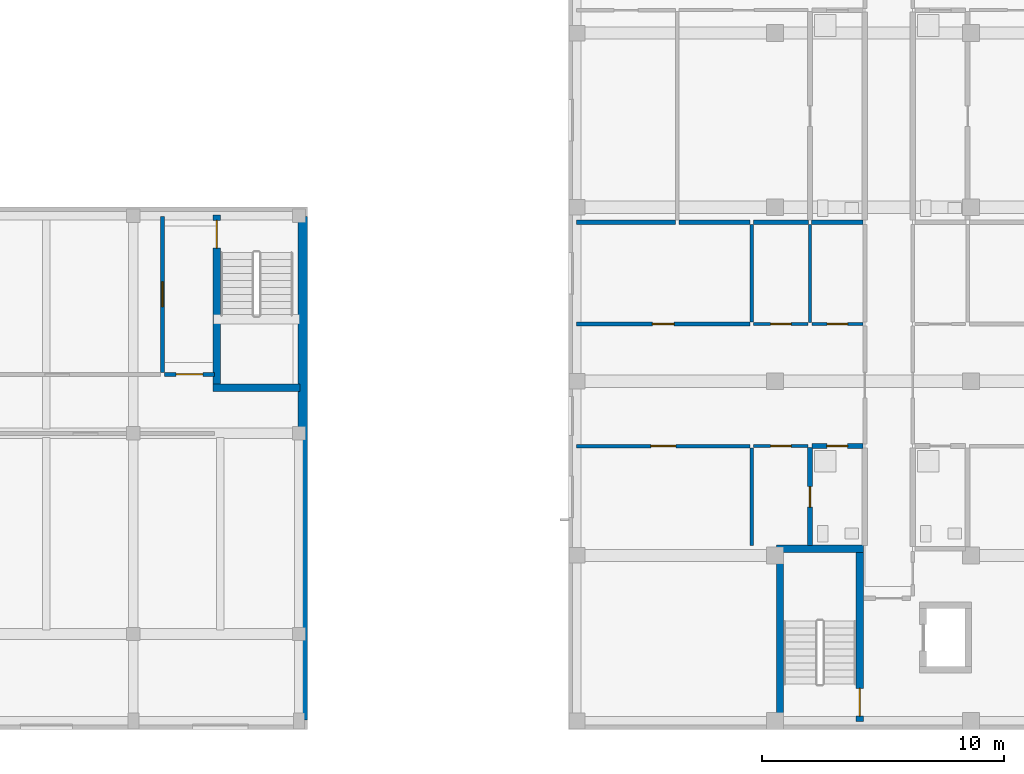
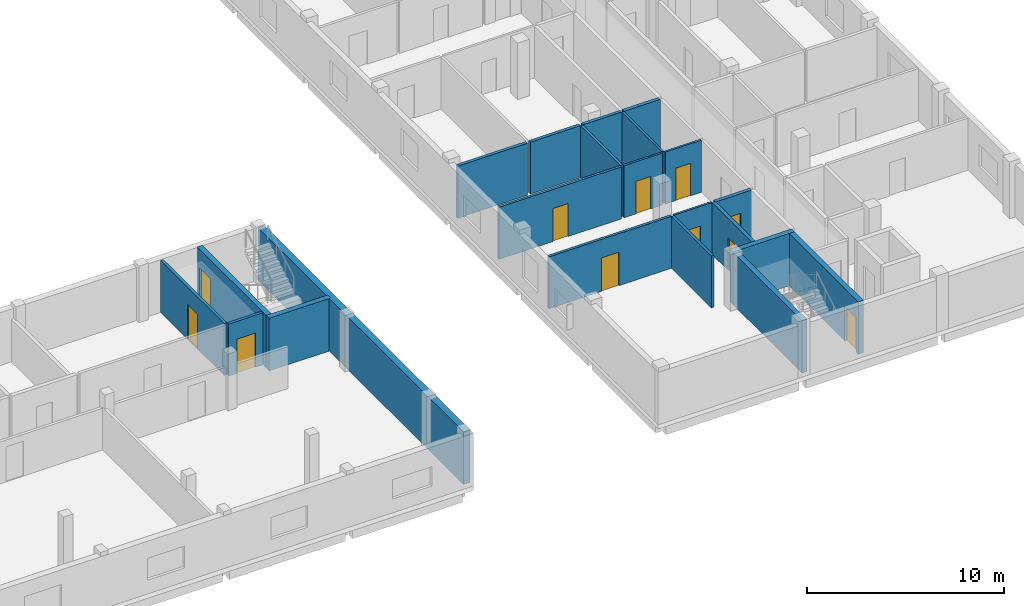
# One storey, part 45 of 73: 22 walls, 11 doors, 11 openings.
"""IFC4 building model written with IfcOpenShell, lengths in metres."""

from ifc_helpers import new_model, si_unit, derived_unit, direction, frame, frame_2d, origin, place, context, subcontext, project, spatial, rectangle, extrude, material, layer, layer_set, type_object, element, fill, save


model = new_model("IFC4")

# Units and contexts
model_context = context("Model", 3, precision=1e-05, world=origin(), true_north=direction((0.0, 1.0)))
body_context = subcontext(model_context, "Body", "Model", "MODEL_VIEW")
ifc_project = project(units=[si_unit("LENGTHUNIT", "METRE"), si_unit("AREAUNIT", "SQUARE_METRE"), si_unit("VOLUMEUNIT", "CUBIC_METRE"), si_unit("PLANEANGLEUNIT", "RADIAN"), si_unit("MASSUNIT", "GRAM", prefix="KILO"), derived_unit("THERMALTRANSMITTANCEUNIT", [(si_unit("MASSUNIT", "GRAM", prefix="KILO"), 1), (si_unit("TIMEUNIT", "SECOND"), -3), (si_unit("THERMODYNAMICTEMPERATUREUNIT", "KELVIN"), -1)])], contexts=[model_context])

# Site, building, storey
site_placement = place(None, origin())
site = spatial("IfcSite", under=ifc_project, at=site_placement, CompositionType="ELEMENT")
building_placement = place(site_placement, origin())
building = spatial("IfcBuilding", under=site, at=building_placement, Name="Ochrekiln Boulevard Commons", CompositionType="ELEMENT")
storey_placement = place(building_placement, frame((0.0, 0.0, 8.574951171875)))
storey = spatial("IfcBuildingStorey", under=building, at=storey_placement, Name="L02", CompositionType="ELEMENT", Elevation=8.574951171875)

# Wall
ifc_material_1 = material(Name="Desert ochre clinker brick masonry ASTM C216 Grade SW", Category="masonry")
ifc_layer_1 = layer(ifc_material_1, 0.3798828125)
ifc_layer_set_1 = layer_set([ifc_layer_1], Name="Desert ochre clinker brick masonry ASTM C216 Grade SW")
wall_type_1 = type_object("IfcWallType", Name="WL-EXT-ARC-380", PredefinedType="SOLIDWALL", material=ifc_layer_set_1)
wall_1_placement = place(storey_placement, frame((136.610107421875, 0.3798828125, 0.0), z_axis=(0.0, 0.0, 1.0), x_axis=(0.0, 1.0, 0.0)))
element("IfcWall", 1, at=wall_1_placement, inside=storey, type_object=wall_type_1, Name="East Boulevard Arcade L02 E Exterior Wall", PredefinedType="SOLIDWALL", context=body_context, shape_type="SweptSolid", body=[
    extrude(rectangle(XDim=20.840087890625, YDim=0.3798828125, at=frame_2d((10.419921875, 0.0))), origin(), (0.0, 0.0, 1.0), 3.260009765625),
])

# Wall, opening, door
ifc_material_2 = material(Name="Moisture-resistant cementitious tile backer wall")
ifc_layer_2 = layer(ifc_material_2, 0.199951171875)
ifc_layer_set_2 = layer_set([ifc_layer_2], Name="Moisture-resistant cementitious tile backer wall")
wall_type_2 = type_object("IfcWallType", Name="WL-PLM-200", PredefinedType="PLUMBINGWALL", material=ifc_layer_set_2)
wall_2_placement = place(storey_placement, frame((157.669921875, 11.718994140625, 0.0), z_axis=(0.0, 0.0, 1.0), x_axis=(1.0, 0.0, 0.0)))
wall_2 = element("IfcWall", 2, at=wall_2_placement, inside=storey, type_object=wall_type_2, Name="L02 Interior Wall W-PW200", PredefinedType="PLUMBINGWALL", context=body_context, shape_type="SweptSolid", body=[
    extrude(rectangle(XDim=2.108154296875, YDim=0.199951171875, at=frame_2d((1.05419921875, 0.0))), origin(), (0.0, 0.0, 1.0), 3.219970703125),
])
opening_1_placement = place(wall_2_placement, frame((0.6201171875, 0.0, 0.0)))
opening_1 = element("IfcOpeningElement", 3, at=opening_1_placement, cuts=wall_2, Name="Opening D-L02-372", PredefinedType="OPENING", context=body_context, shape_type="SweptSolid", body=[
    extrude(rectangle(XDim=0.860107421875, YDim=2.0, at=frame_2d((0.43017578125, 1.0))), frame((0.0, 0.10986328125, 0.0), z_axis=(0.0, -1.0, 0.0), x_axis=(1.0, 0.0, 0.0)), (0.0, 0.0, 1.0), 0.219970703125),
])
ifc_material_3 = material(Name="Solid core architectural oak door leaf")
door_type_1 = type_object("IfcDoorType", Name="DR-INT-BTH-086", OperationType="NOTDEFINED", PredefinedType="DOOR", material=ifc_material_3)
door_1_placement = place(opening_1_placement, frame((0.860107421875, 0.0, 0.0), z_axis=(0.0, 0.0, 1.0), x_axis=(-1.0, 0.0, 0.0)))
door_1 = element("IfcDoor", 4, at=door_1_placement, inside=storey, type_object=door_type_1, Name="L02 Interior Door to Accessible Apartment Bathroom", OperationType="SINGLE_SWING_RIGHT", OverallHeight=2.0, OverallWidth=0.860107421875, PredefinedType="DOOR", context=body_context, shape_type="SweptSolid", body=[
    extrude(rectangle(XDim=0.860107421875, YDim=2.0, at=frame_2d((0.43017578125, 1.0))), frame((0.0, 0.02490234375, 0.0), z_axis=(0.0, -1.0, 0.0), x_axis=(1.0, 0.0, 0.0)), (0.0, 0.0, 1.0), 0.050048828125),
])
fill(opening_1, door_1)

wall_3_placement = place(storey_placement, frame((157.590087890625, 7.60009765625, 0.0), z_axis=(0.0, 0.0, 1.0), x_axis=(0.0, 1.0, 0.0)))
wall_3 = element("IfcWall", 5, at=wall_3_placement, inside=storey, type_object=wall_type_2, Name="L02 Interior Wall W-PW200", PredefinedType="PLUMBINGWALL", context=body_context, shape_type="SweptSolid", body=[
    extrude(rectangle(XDim=4.058837890625, YDim=0.199951171875, at=frame_2d((2.029296875, 0.0))), origin(), (0.0, 0.0, 1.0), 3.219970703125),
])
opening_2_placement = place(wall_3_placement, frame((1.593994140625, 0.0, 0.0)))
opening_2 = element("IfcOpeningElement", 6, at=opening_2_placement, cuts=wall_3, Name="Opening D-L02-378", PredefinedType="OPENING", context=body_context, shape_type="SweptSolid", body=[
    extrude(rectangle(XDim=0.85009765625, YDim=2.010009765625, at=frame_2d((0.425048828125, 1.0048828125))), frame((0.0, 0.10986328125, 0.0), z_axis=(0.0, -1.0, 0.0), x_axis=(1.0, 0.0, 0.0)), (0.0, 0.0, 1.0), 0.219970703125),
])
door_type_2 = type_object("IfcDoorType", Name="DR-INT-KIT-085", OperationType="NOTDEFINED", PredefinedType="DOOR", material=ifc_material_3)
door_2_placement = place(opening_2_placement, frame((0.85009765625, 0.0, 0.0), z_axis=(0.0, 0.0, 1.0), x_axis=(-1.0, 0.0, 0.0)))
door_2 = element("IfcDoor", 7, at=door_2_placement, inside=storey, type_object=door_type_2, Name="L02 Interior Door to Accessible Apartment Bathroom", OperationType="SINGLE_SWING_RIGHT", OverallHeight=2.010009765625, OverallWidth=0.85009765625, PredefinedType="DOOR", context=body_context, shape_type="SweptSolid", body=[
    extrude(rectangle(XDim=0.85009765625, YDim=2.010009765625, at=frame_2d((0.425048828125, 1.0048828125))), frame((0.0, 0.02490234375, 0.0), z_axis=(0.0, -1.0, 0.0), x_axis=(1.0, 0.0, 0.0)), (0.0, 0.0, 1.0), 0.050048828125),
])
fill(opening_2, door_2)

# Wall
wall_4_placement = place(storey_placement, frame((157.64990234375, 20.97607421875, 0.0), z_axis=(0.0, 0.0, 1.0), x_axis=(1.0, 0.0, 0.0)))
element("IfcWall", 8, at=wall_4_placement, inside=storey, type_object=wall_type_2, Name="L02 Interior Wall W-PW200", PredefinedType="PLUMBINGWALL", context=body_context, shape_type="SweptSolid", body=[
    extrude(rectangle(XDim=2.128173828125, YDim=0.199951171875, at=frame_2d((1.06396484375, 0.0))), origin(), (0.0, 0.0, 1.0), 3.219970703125),
])

# Wall, opening, door
ifc_material_4 = material(Name="Fire-rated Type X gypsum board on steel studs", Category="steel")
ifc_layer_3 = layer(ifc_material_4, 0.1650390625)
ifc_layer_set_3 = layer_set([ifc_layer_3], Name="Fire-rated Type X gypsum board on steel studs")
wall_type_3 = type_object("IfcWallType", Name="WL-PT-CORR-165", PredefinedType="PARTITIONING", material=ifc_layer_set_3)
wall_5_placement = place(storey_placement, frame((130.89990234375, 14.68994140625, 0.0), z_axis=(0.0, 0.0, 1.0), x_axis=(1.0, 0.0, 0.0)))
wall_5 = element("IfcWall", 9, at=wall_5_placement, inside=storey, type_object=wall_type_3, Name="L02 Interior Wall W-PC165", PredefinedType="PARTITIONING", context=body_context, shape_type="SweptSolid", body=[
    extrude(rectangle(XDim=2.050048828125, YDim=0.1650390625, at=frame_2d((1.02490234375, 0.0))), origin(), (0.0, 0.0, 1.0), 3.219970703125),
])
opening_3_placement = place(wall_5_placement, frame((0.47509765625, 0.0, 0.0)))
opening_3 = element("IfcOpeningElement", 10, at=opening_3_placement, cuts=wall_5, Name="Opening D-L02-440", PredefinedType="OPENING", context=body_context, shape_type="SweptSolid", body=[
    extrude(rectangle(XDim=1.10009765625, YDim=2.1201171875, at=frame_2d((0.550048828125, 1.06005859375))), frame((0.0, 0.092529296875, 0.0), z_axis=(0.0, -1.0, 0.0), x_axis=(1.0, 0.0, 0.0)), (0.0, 0.0, 1.0), 0.18505859375),
])
ifc_material_5 = material(Name="Hollow metal fire-rated steel door assembly", Category="steel")
door_type_3 = type_object("IfcDoorType", Name="DR-LOBBY-60", OperationType="NOTDEFINED", PredefinedType="DOOR", material=ifc_material_5)
door_3_placement = place(opening_3_placement, origin())
door_3 = element("IfcDoor", 11, at=door_3_placement, inside=storey, type_object=door_type_3, Name="L02 Interior Door to Studio East Stair Corridor", OperationType="SINGLE_SWING_RIGHT", OverallHeight=2.1201171875, OverallWidth=1.10009765625, PredefinedType="DOOR", context=body_context, shape_type="SweptSolid", body=[
    extrude(rectangle(XDim=1.10009765625, YDim=2.1201171875, at=frame_2d((0.550048828125, 1.06005859375))), frame((0.0, 0.02490234375, 0.0), z_axis=(0.0, -1.0, 0.0), x_axis=(1.0, 0.0, 0.0)), (0.0, 0.0, 1.0), 0.050048828125),
])
fill(opening_3, door_3)

wall_6_placement = place(storey_placement, frame((130.81005859375, 14.77197265625, 0.0), z_axis=(0.0, 0.0, 1.0), x_axis=(0.0, 1.0, 0.0)))
wall_6 = element("IfcWall", 12, at=wall_6_placement, inside=storey, type_object=wall_type_3, Name="L02 Interior Wall W-PC165", PredefinedType="PARTITIONING", context=body_context, shape_type="SweptSolid", body=[
    extrude(rectangle(XDim=6.447998046875, YDim=0.1650390625, at=frame_2d((3.22412109375, 0.0))), origin(), (0.0, 0.0, 1.0), 3.219970703125),
])
opening_4_placement = place(wall_6_placement, frame((2.718017578125, 0.0, 0.0)))
opening_4 = element("IfcOpeningElement", 13, at=opening_4_placement, cuts=wall_6, Name="Opening D-L02-445", PredefinedType="OPENING", context=body_context, shape_type="SweptSolid", body=[
    extrude(rectangle(XDim=1.02001953125, YDim=2.159912109375, at=frame_2d((0.510009765625, 1.080078125))), frame((0.0, 0.092529296875, 0.0), z_axis=(0.0, -1.0, 0.0), x_axis=(1.0, 0.0, 0.0)), (0.0, 0.0, 1.0), 0.18505859375),
])
door_type_4 = type_object("IfcDoorType", Name="DR-INT-CIV-102", OperationType="NOTDEFINED", PredefinedType="DOOR", material=ifc_material_3)
door_4_placement = place(opening_4_placement, origin())
door_4 = element("IfcDoor", 14, at=door_4_placement, inside=storey, type_object=door_type_4, Name="L02 Interior Door to Community Craft Room", OperationType="SINGLE_SWING_LEFT", OverallHeight=2.159912109375, OverallWidth=1.02001953125, PredefinedType="DOOR", context=body_context, shape_type="SweptSolid", body=[
    extrude(rectangle(XDim=1.02001953125, YDim=2.159912109375, at=frame_2d((0.510009765625, 1.080078125))), frame((0.0, 0.02490234375, 0.0), z_axis=(0.0, -1.0, 0.0), x_axis=(1.0, 0.0, 0.0)), (0.0, 0.0, 1.0), 0.050048828125),
])
fill(opening_4, door_4)

# Walls
ifc_layer_4 = layer(ifc_material_4, 0.179931640625)
ifc_layer_set_4 = layer_set([ifc_layer_4], Name="Fire-rated Type X gypsum board on steel studs")
wall_type_4 = type_object("IfcWallType", Name="WL-PT-DEM-180", PredefinedType="PARTITIONING", material=ifc_layer_set_4)
wall_7_placement = place(storey_placement, frame((147.929931640625, 20.97607421875, 0.0), z_axis=(0.0, 0.0, 1.0), x_axis=(1.0, 0.0, 0.0)))
element("IfcWall", 15, at=wall_7_placement, inside=storey, type_object=wall_type_4, Name="L02 Interior Wall W-PD180", PredefinedType="PARTITIONING", context=body_context, shape_type="SweptSolid", body=[
    extrude(rectangle(XDim=4.088134765625, YDim=0.179931640625, at=frame_2d((2.0439453125, 0.0))), origin(), (0.0, 0.0, 1.0), 3.219970703125),
])
wall_8_placement = place(storey_placement, frame((152.177978515625, 20.97607421875, 0.0), z_axis=(0.0, 0.0, 1.0), x_axis=(1.0, 0.0, 0.0)))
element("IfcWall", 16, at=wall_8_placement, inside=storey, type_object=wall_type_4, Name="L02 Interior Wall W-PD180", PredefinedType="PARTITIONING", context=body_context, shape_type="SweptSolid", body=[
    extrude(rectangle(XDim=2.927001953125, YDim=0.179931640625, at=frame_2d((1.46337890625, 0.0))), origin(), (0.0, 0.0, 1.0), 3.219970703125),
])
wall_9_placement = place(storey_placement, frame((155.260009765625, 20.97607421875, 0.0), z_axis=(0.0, 0.0, 1.0), x_axis=(1.0, 0.0, 0.0)))
element("IfcWall", 17, at=wall_9_placement, inside=storey, type_object=wall_type_4, Name="L02 Interior Wall W-PD180", PredefinedType="PARTITIONING", context=body_context, shape_type="SweptSolid", body=[
    extrude(rectangle(XDim=2.27001953125, YDim=0.179931640625, at=frame_2d((1.135009765625, 0.0))), origin(), (0.0, 0.0, 1.0), 3.219970703125),
])

# Wall, opening, door
ifc_layer_5 = layer(ifc_material_4, 0.1201171875)
ifc_layer_set_5 = layer_set([ifc_layer_5], Name="Fire-rated Type X gypsum board on steel studs")
wall_type_5 = type_object("IfcWallType", Name="WL-PT-LGT-120", PredefinedType="PARTITIONING", material=ifc_layer_set_5)
wall_10_placement = place(storey_placement, frame((157.669921875, 16.76708984375, 0.0), z_axis=(0.0, 0.0, 1.0), x_axis=(1.0, 0.0, 0.0)))
wall_10 = element("IfcWall", 18, at=wall_10_placement, inside=storey, type_object=wall_type_5, Name="L02 Interior Wall W-PL120", PredefinedType="PARTITIONING", context=body_context, shape_type="SweptSolid", body=[
    extrude(rectangle(XDim=2.108154296875, YDim=0.1201171875, at=frame_2d((1.05419921875, 0.0))), origin(), (0.0, 0.0, 1.0), 3.219970703125),
])
opening_5_placement = place(wall_10_placement, frame((0.625, 0.0, 0.0)))
opening_5 = element("IfcOpeningElement", 19, at=opening_5_placement, cuts=wall_10, Name="Opening D-L02-373", PredefinedType="OPENING", context=body_context, shape_type="SweptSolid", body=[
    extrude(rectangle(XDim=0.85009765625, YDim=2.010009765625, at=frame_2d((0.425048828125, 1.0048828125))), frame((0.0, 0.070068359375, 0.0), z_axis=(0.0, -1.0, 0.0), x_axis=(1.0, 0.0, 0.0)), (0.0, 0.0, 1.0), 0.14013671875),
])
door_5_placement = place(opening_5_placement, origin())
door_5 = element("IfcDoor", 20, at=door_5_placement, inside=storey, type_object=door_type_2, Name="L02 Interior Door to Apartment Kitchen", OperationType="SINGLE_SWING_LEFT", OverallHeight=2.010009765625, OverallWidth=0.85009765625, PredefinedType="DOOR", context=body_context, shape_type="SweptSolid", body=[
    extrude(rectangle(XDim=0.85009765625, YDim=2.010009765625, at=frame_2d((0.425048828125, 1.0048828125))), frame((0.0, 0.02490234375, 0.0), z_axis=(0.0, -1.0, 0.0), x_axis=(1.0, 0.0, 0.0)), (0.0, 0.0, 1.0), 0.050048828125),
])
fill(opening_5, door_5)

wall_11_placement = place(storey_placement, frame((155.260009765625, 11.718994140625, 0.0), z_axis=(0.0, 0.0, 1.0), x_axis=(1.0, 0.0, 0.0)))
wall_11 = element("IfcWall", 21, at=wall_11_placement, inside=storey, type_object=wall_type_5, Name="L02 Interior Wall W-PL120", PredefinedType="PARTITIONING", context=body_context, shape_type="SweptSolid", body=[
    extrude(rectangle(XDim=2.25, YDim=0.1201171875, at=frame_2d((1.125, 0.0))), origin(), (0.0, 0.0, 1.0), 3.219970703125),
])
opening_6_placement = place(wall_11_placement, frame((0.699951171875, 0.0, 0.0)))
opening_6 = element("IfcOpeningElement", 22, at=opening_6_placement, cuts=wall_11, Name="Opening D-L02-375", PredefinedType="OPENING", context=body_context, shape_type="SweptSolid", body=[
    extrude(rectangle(XDim=0.85009765625, YDim=2.010009765625, at=frame_2d((0.425048828125, 1.0048828125))), frame((0.0, 0.070068359375, 0.0), z_axis=(0.0, -1.0, 0.0), x_axis=(1.0, 0.0, 0.0)), (0.0, 0.0, 1.0), 0.14013671875),
])
door_6_placement = place(opening_6_placement, frame((0.85009765625, 0.0, 0.0), z_axis=(0.0, 0.0, 1.0), x_axis=(-1.0, 0.0, 0.0)))
door_6 = element("IfcDoor", 23, at=door_6_placement, inside=storey, type_object=door_type_2, Name="L02 Interior Door to Apartment Walk-In Wardrobe", OperationType="SINGLE_SWING_LEFT", OverallHeight=2.010009765625, OverallWidth=0.85009765625, PredefinedType="DOOR", context=body_context, shape_type="SweptSolid", body=[
    extrude(rectangle(XDim=0.85009765625, YDim=2.010009765625, at=frame_2d((0.425048828125, 1.0048828125))), frame((0.0, 0.02490234375, 0.0), z_axis=(0.0, -1.0, 0.0), x_axis=(1.0, 0.0, 0.0)), (0.0, 0.0, 1.0), 0.050048828125),
])
fill(opening_6, door_6)

wall_12_placement = place(storey_placement, frame((155.260009765625, 16.76708984375, 0.0), z_axis=(0.0, 0.0, 1.0), x_axis=(1.0, 0.0, 0.0)))
wall_12 = element("IfcWall", 24, at=wall_12_placement, inside=storey, type_object=wall_type_5, Name="L02 Interior Wall W-PL120", PredefinedType="PARTITIONING", context=body_context, shape_type="SweptSolid", body=[
    extrude(rectangle(XDim=2.25, YDim=0.1201171875, at=frame_2d((1.125, 0.0))), origin(), (0.0, 0.0, 1.0), 3.219970703125),
])
opening_7_placement = place(wall_12_placement, frame((0.699951171875, 0.0, 0.0)))
opening_7 = element("IfcOpeningElement", 25, at=opening_7_placement, cuts=wall_12, Name="Opening D-L02-377", PredefinedType="OPENING", context=body_context, shape_type="SweptSolid", body=[
    extrude(rectangle(XDim=0.85009765625, YDim=2.010009765625, at=frame_2d((0.425048828125, 1.0048828125))), frame((0.0, 0.070068359375, 0.0), z_axis=(0.0, -1.0, 0.0), x_axis=(1.0, 0.0, 0.0)), (0.0, 0.0, 1.0), 0.14013671875),
])
door_7_placement = place(opening_7_placement, origin())
door_7 = element("IfcDoor", 26, at=door_7_placement, inside=storey, type_object=door_type_2, Name="L02 Interior Door to Apartment Walk-In Wardrobe", OperationType="SINGLE_SWING_LEFT", OverallHeight=2.010009765625, OverallWidth=0.85009765625, PredefinedType="DOOR", context=body_context, shape_type="SweptSolid", body=[
    extrude(rectangle(XDim=0.85009765625, YDim=2.010009765625, at=frame_2d((0.425048828125, 1.0048828125))), frame((0.0, 0.02490234375, 0.0), z_axis=(0.0, -1.0, 0.0), x_axis=(1.0, 0.0, 0.0)), (0.0, 0.0, 1.0), 0.050048828125),
])
fill(opening_7, door_7)

# Wall
wall_13_placement = place(storey_placement, frame((157.590087890625, 16.826904296875, 0.0), z_axis=(0.0, 0.0, 1.0), x_axis=(0.0, 1.0, 0.0)))
element("IfcWall", 27, at=wall_13_placement, inside=storey, type_object=wall_type_5, Name="L02 Interior Wall W-PL120", PredefinedType="PARTITIONING", context=body_context, shape_type="SweptSolid", body=[
    extrude(rectangle(XDim=4.05908203125, YDim=0.1201171875, at=frame_2d((2.029541015625, 0.0))), origin(), (0.0, 0.0, 1.0), 3.219970703125),
])

# Wall, opening, door
ifc_layer_6 = layer(ifc_material_4, 0.14990234375)
ifc_layer_set_6 = layer_set([ifc_layer_6], Name="Fire-rated Type X gypsum board on steel studs")
wall_type_6 = type_object("IfcWallType", Name="WL-PT-STD-150", PredefinedType="PARTITIONING", material=ifc_layer_set_6)
wall_14_placement = place(storey_placement, frame((147.929931640625, 11.718994140625, 0.0), z_axis=(0.0, 0.0, 1.0), x_axis=(1.0, 0.0, 0.0)))
wall_14 = element("IfcWall", 28, at=wall_14_placement, inside=storey, type_object=wall_type_6, Name="L02 Interior Wall W-PS150", PredefinedType="PARTITIONING", context=body_context, shape_type="SweptSolid", body=[
    extrude(rectangle(XDim=7.170166015625, YDim=0.14990234375, at=frame_2d((3.5849609375, 0.0))), origin(), (0.0, 0.0, 1.0), 3.219970703125),
])
opening_8_placement = place(wall_14_placement, frame((3.074951171875, 0.0, 0.0)))
opening_8 = element("IfcOpeningElement", 29, at=opening_8_placement, cuts=wall_14, Name="Opening D-L02-374", PredefinedType="OPENING", context=body_context, shape_type="SweptSolid", body=[
    extrude(rectangle(XDim=1.0400390625, YDim=2.080078125, at=frame_2d((0.52001953125, 1.0400390625))), frame((0.0, 0.0849609375, 0.0), z_axis=(0.0, -1.0, 0.0), x_axis=(1.0, 0.0, 0.0)), (0.0, 0.0, 1.0), 0.169921875),
])
door_type_5 = type_object("IfcDoorType", Name="DR-INT-BED-104", OperationType="NOTDEFINED", PredefinedType="DOOR", material=ifc_material_3)
door_8_placement = place(opening_8_placement, frame((1.0400390625, 0.0, 0.0), z_axis=(0.0, 0.0, 1.0), x_axis=(-1.0, 0.0, 0.0)))
door_8 = element("IfcDoor", 30, at=door_8_placement, inside=storey, type_object=door_type_5, Name="L02 Interior Door to Primary Apartment Bedroom", OperationType="SINGLE_SWING_RIGHT", OverallHeight=2.080078125, OverallWidth=1.0400390625, PredefinedType="DOOR", context=body_context, shape_type="SweptSolid", body=[
    extrude(rectangle(XDim=1.0400390625, YDim=2.080078125, at=frame_2d((0.52001953125, 1.0400390625))), frame((0.0, 0.02490234375, 0.0), z_axis=(0.0, -1.0, 0.0), x_axis=(1.0, 0.0, 0.0)), (0.0, 0.0, 1.0), 0.050048828125),
])
fill(opening_8, door_8)

wall_15_placement = place(storey_placement, frame((147.929931640625, 16.76708984375, 0.0), z_axis=(0.0, 0.0, 1.0), x_axis=(1.0, 0.0, 0.0)))
wall_15 = element("IfcWall", 31, at=wall_15_placement, inside=storey, type_object=wall_type_6, Name="L02 Interior Wall W-PS150", PredefinedType="PARTITIONING", context=body_context, shape_type="SweptSolid", body=[
    extrude(rectangle(XDim=7.170166015625, YDim=0.14990234375, at=frame_2d((3.5849609375, 0.0))), origin(), (0.0, 0.0, 1.0), 3.219970703125),
])
opening_9_placement = place(wall_15_placement, frame((3.14501953125, 0.0, 0.0)))
opening_9 = element("IfcOpeningElement", 32, at=opening_9_placement, cuts=wall_15, Name="Opening D-L02-376", PredefinedType="OPENING", context=body_context, shape_type="SweptSolid", body=[
    extrude(rectangle(XDim=0.89990234375, YDim=2.0400390625, at=frame_2d((0.449951171875, 1.02001953125))), frame((0.0, 0.0849609375, 0.0), z_axis=(0.0, -1.0, 0.0), x_axis=(1.0, 0.0, 0.0)), (0.0, 0.0, 1.0), 0.169921875),
])
door_type_6 = type_object("IfcDoorType", Name="DR-INT-BED-090", OperationType="NOTDEFINED", PredefinedType="DOOR", material=ifc_material_3)
door_9_placement = place(opening_9_placement, origin())
door_9 = element("IfcDoor", 33, at=door_9_placement, inside=storey, type_object=door_type_6, Name="L02 Interior Door to Secondary Apartment Bedroom", OperationType="SINGLE_SWING_RIGHT", OverallHeight=2.0400390625, OverallWidth=0.89990234375, PredefinedType="DOOR", context=body_context, shape_type="SweptSolid", body=[
    extrude(rectangle(XDim=0.89990234375, YDim=2.0400390625, at=frame_2d((0.449951171875, 1.02001953125))), frame((0.0, 0.02490234375, 0.0), z_axis=(0.0, -1.0, 0.0), x_axis=(1.0, 0.0, 0.0)), (0.0, 0.0, 1.0), 0.050048828125),
])
fill(opening_9, door_9)

# Walls
for number, where, z_axis, x_axis, name in (
    (34, (155.179931640625, 7.60009765625, 0.0), (0.0, 0.0, 1.0), (0.0, 1.0, 0.0), "L02 Interior Wall W-PS150"),
    (35, (155.179931640625, 16.842041015625, 0.0), (0.0, 0.0, 1.0), (0.0, 1.0, 0.0), "L02 Interior Wall W-PS150"),
):
    element("IfcWall", number, at=place(storey_placement, frame(where, z_axis=z_axis, x_axis=x_axis)), inside=storey, type_object=wall_type_6, Name=name, PredefinedType="PARTITIONING", context=body_context, shape_type="SweptSolid", body=[
        extrude(rectangle(XDim=4.0439453125, YDim=0.14990234375, at=frame_2d((2.02197265625, 0.0))), origin(), (0.0, 0.0, 1.0), 3.219970703125),
    ])
ifc_material_6 = material(Name="Concrete C40/50", Category="concrete")
ifc_layer_7 = layer(ifc_material_6, 0.300048828125)
ifc_layer_set_7 = layer_set([ifc_layer_7], Name="Concrete C40/50")
wall_type_7 = type_object("IfcWallType", Name="WL-SH-300", PredefinedType="SHEAR", material=ifc_layer_set_7)
wall_16_placement = place(storey_placement, frame((156.199951171875, 7.469970703125, 0.0), z_axis=(0.0, 0.0, 1.0), x_axis=(1.0, 0.0, 0.0)))
element("IfcWall", 36, at=wall_16_placement, inside=storey, type_object=wall_type_7, Name="Stair ST-C1 L02 Core Shear Wall N", PredefinedType="SHEAR", context=body_context, shape_type="SweptSolid", body=[
    extrude(rectangle(XDim=3.60009765625, YDim=0.300048828125, at=frame_2d((1.800048828125, 0.0))), origin(), (0.0, 0.0, 1.0), 3.239990234375),
])
wall_17_placement = place(storey_placement, frame((156.35009765625, 0.320068359375, 0.0), z_axis=(0.0, 0.0, 1.0), x_axis=(0.0, 1.0, 0.0)))
element("IfcWall", 37, at=wall_17_placement, inside=storey, type_object=wall_type_7, Name="Stair ST-C1 L02 Core Shear Wall W", PredefinedType="SHEAR", context=body_context, shape_type="SweptSolid", body=[
    extrude(rectangle(XDim=7.0, YDim=0.300048828125, at=frame_2d((3.5, 0.0))), origin(), (0.0, 0.0, 1.0), 3.239990234375),
])

# Wall, opening, door
wall_18_placement = place(storey_placement, frame((159.64990234375, 0.320068359375, 0.0), z_axis=(0.0, 0.0, 1.0), x_axis=(0.0, 1.0, 0.0)))
wall_18 = element("IfcWall", 38, at=wall_18_placement, inside=storey, type_object=wall_type_7, Name="Stair ST-C1 L02 Core Shear Wall E", PredefinedType="SHEAR", context=body_context, shape_type="SweptSolid", body=[
    extrude(rectangle(XDim=7.0, YDim=0.300048828125, at=frame_2d((3.5, 0.0))), origin(), (0.0, 0.0, 1.0), 3.239990234375),
])
opening_10_placement = place(wall_18_placement, frame((0.22509765625, 0.0, 0.0)))
opening_10 = element("IfcOpeningElement", 39, at=opening_10_placement, cuts=wall_18, Name="Opening D-L02-ST-C1", PredefinedType="OPENING", context=body_context, shape_type="SweptSolid", body=[
    extrude(rectangle(XDim=1.14990234375, YDim=2.1201171875, at=frame_2d((0.574951171875, 1.06005859375))), frame((0.0, 0.159912109375, 0.0), z_axis=(0.0, -1.0, 0.0), x_axis=(1.0, 0.0, 0.0)), (0.0, 0.0, 1.0), 0.320068359375),
])
door_type_7 = type_object("IfcDoorType", Name="DR-STAIR-90", OperationType="NOTDEFINED", PredefinedType="DOOR", material=ifc_material_5)
door_10_placement = place(opening_10_placement, origin())
door_10 = element("IfcDoor", 40, at=door_10_placement, inside=storey, type_object=door_type_7, Name="Enclosed Exit Stair ST-C1 L02 Rated Door", OperationType="SINGLE_SWING_RIGHT", OverallHeight=2.1201171875, OverallWidth=1.14990234375, PredefinedType="DOOR", context=body_context, shape_type="SweptSolid", body=[
    extrude(rectangle(XDim=1.14990234375, YDim=2.1201171875, at=frame_2d((0.574951171875, 1.06005859375))), frame((0.0, 0.02490234375, 0.0), z_axis=(0.0, -1.0, 0.0), x_axis=(1.0, 0.0, 0.0)), (0.0, 0.0, 1.0), 0.050048828125),
])
fill(opening_10, door_10)

# Wall
wall_19_placement = place(storey_placement, frame((132.89990234375, 14.1298828125, 0.0), z_axis=(0.0, 0.0, 1.0), x_axis=(1.0, 0.0, 0.0)))
element("IfcWall", 41, at=wall_19_placement, inside=storey, type_object=wall_type_7, Name="Stair ST-E2 L02 Core Shear Wall S", PredefinedType="SHEAR", context=body_context, shape_type="SweptSolid", body=[
    extrude(rectangle(XDim=3.60009765625, YDim=0.300048828125, at=frame_2d((1.800048828125, 0.0))), origin(), (0.0, 0.0, 1.0), 3.260009765625),
])

# Wall, opening, door
wall_20_placement = place(storey_placement, frame((133.050048828125, 14.280029296875, 0.0), z_axis=(0.0, 0.0, 1.0), x_axis=(0.0, 1.0, 0.0)))
wall_20 = element("IfcWall", 42, at=wall_20_placement, inside=storey, type_object=wall_type_7, Name="Stair ST-E2 L02 Core Shear Wall W", PredefinedType="SHEAR", context=body_context, shape_type="SweptSolid", body=[
    extrude(rectangle(XDim=7.0, YDim=0.300048828125, at=frame_2d((3.5, 0.0))), origin(), (0.0, 0.0, 1.0), 3.260009765625),
])
opening_11_placement = place(wall_20_placement, frame((5.625, 0.0, 0.0)))
opening_11 = element("IfcOpeningElement", 43, at=opening_11_placement, cuts=wall_20, Name="Opening D-L02-ST-E2", PredefinedType="OPENING", context=body_context, shape_type="SweptSolid", body=[
    extrude(rectangle(XDim=1.14990234375, YDim=2.1201171875, at=frame_2d((0.574951171875, 1.06005859375))), frame((0.0, 0.159912109375, 0.0), z_axis=(0.0, -1.0, 0.0), x_axis=(1.0, 0.0, 0.0)), (0.0, 0.0, 1.0), 0.320068359375),
])
door_11_placement = place(opening_11_placement, frame((1.14990234375, 0.0, 0.0), z_axis=(0.0, 0.0, 1.0), x_axis=(-1.0, 0.0, 0.0)))
door_11 = element("IfcDoor", 44, at=door_11_placement, inside=storey, type_object=door_type_7, Name="Enclosed Exit Stair ST-E2 L02 Rated Door", OperationType="SINGLE_SWING_LEFT", OverallHeight=2.1201171875, OverallWidth=1.14990234375, PredefinedType="DOOR", context=body_context, shape_type="SweptSolid", body=[
    extrude(rectangle(XDim=1.14990234375, YDim=2.1201171875, at=frame_2d((0.574951171875, 1.06005859375))), frame((0.0, 0.02490234375, 0.0), z_axis=(0.0, -1.0, 0.0), x_axis=(1.0, 0.0, 0.0)), (0.0, 0.0, 1.0), 0.050048828125),
])
fill(opening_11, door_11)

save(model, "model.ifc")
